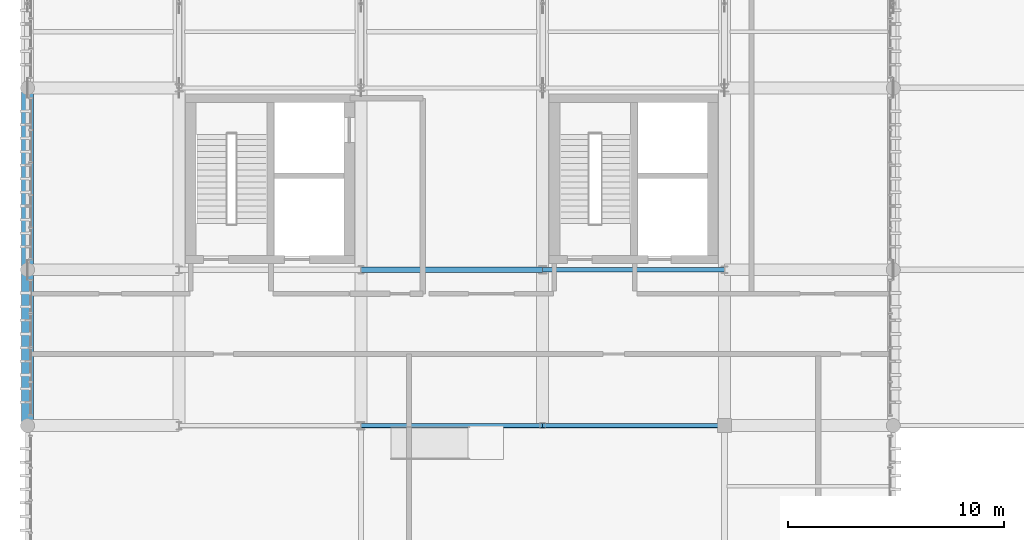
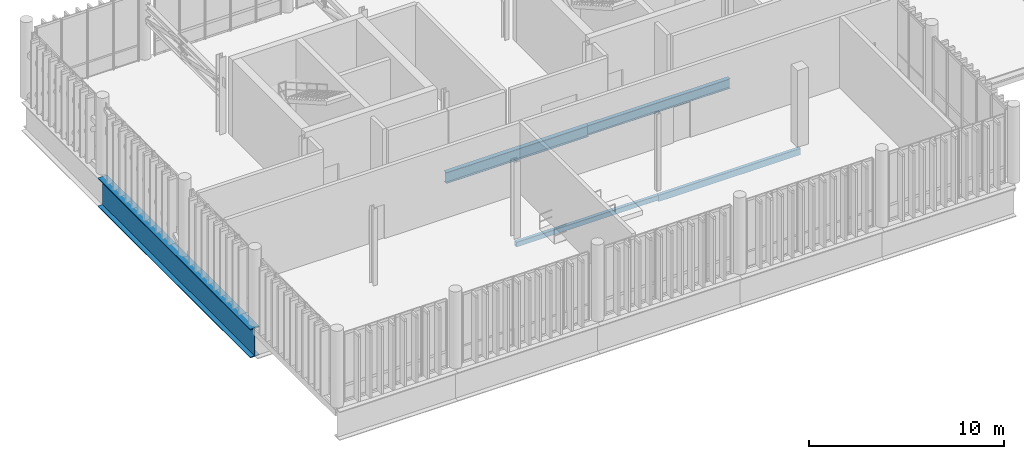
# One storey, part 11 of 81: 5 beams.
"""IFC4 building model written with IfcOpenShell, lengths in metres."""

from ifc_helpers import new_model, si_unit, direction, frame, origin_with_axes, origin_2d_with_axis, place, context, subcontext, project, spatial, hollow_rectangle, i_section, extrude, material, material_profile, profile_set, type_object, element, save


model = new_model("IFC4")

# Units and contexts
model_context = context("Model", 3, precision=1e-05, world=origin_with_axes(), true_north=direction((0.0, 1.0)))
body_context = subcontext(model_context, "Body", "Model", "MODEL_VIEW")
ifc_project = project(units=[si_unit("LENGTHUNIT", "METRE"), si_unit("AREAUNIT", "SQUARE_METRE"), si_unit("VOLUMEUNIT", "CUBIC_METRE"), si_unit("PLANEANGLEUNIT", "RADIAN"), si_unit("MASSUNIT", "GRAM", prefix="KILO"), si_unit("THERMODYNAMICTEMPERATUREUNIT", "KELVIN")], contexts=[model_context])

# Site, building, storey
site_placement = place(None, origin_with_axes())
site = spatial("IfcSite", under=ifc_project, at=site_placement, CompositionType="ELEMENT")
building_placement = place(site_placement, origin_with_axes())
building = spatial("IfcBuilding", under=site, at=building_placement, Name="Montbau Bow Law Courts", CompositionType="ELEMENT")
storey_placement = place(building_placement, frame((0.0, 0.0, 24.9), z_axis=(0.0, 0.0, 1.0), x_axis=(1.0, 0.0, 0.0)))
storey = spatial("IfcBuildingStorey", under=building, at=storey_placement, Name="L05", CompositionType="ELEMENT", Elevation=24.9)

# Beams
ifc_material_1 = material(Name="Steel CSA G40.21 Grade 350W (350 MPa)", Category="steel")
ifc_material_profile_1 = material_profile(ifc_material_1, i_section(OverallWidth=0.254, OverallDepth=0.688, WebThickness=0.0131, FlangeThickness=0.0211, at=origin_2d_with_axis()), Name="W690X152", Category="Main", Priority=0)
ifc_profile_set_1 = profile_set([ifc_material_profile_1], Name="Steel CSA G40.21 Grade 350W (350 MPa)")
beam_type_1 = type_object("IfcBeamType", Name="B-FLR-04", PredefinedType="BEAM", material=ifc_profile_set_1)
beam_1_placement = place(None, frame((22.2, 46.2, 24.256), z_axis=(1.0, 0.0, 0.0), x_axis=(0.0, 1.0, 0.0)))
element("IfcBeam", 1, at=beam_1_placement, inside=storey, type_object=beam_type_1, Name="BM-L05-S0657:bm2_0660", PredefinedType="BEAM", context=body_context, shape_type="SweptSolid", body=[
    extrude(i_section(OverallWidth=0.254, OverallDepth=0.688, WebThickness=0.0131, FlangeThickness=0.0211, at=origin_2d_with_axis()), origin_with_axes(), (0.0, 0.0, 1.0), 8.4),
])
ifc_material_profile_2 = material_profile(ifc_material_1, i_section(OverallWidth=0.229, OverallDepth=0.612, WebThickness=0.0119, FlangeThickness=0.0196, at=origin_2d_with_axis()), Name="W610X125", Category="Main", Priority=0)
ifc_profile_set_2 = profile_set([ifc_material_profile_2], Name="Steel CSA G40.21 Grade 350W (350 MPa)")
beam_type_2 = type_object("IfcBeamType", Name="B-FLR-05", PredefinedType="BEAM", material=ifc_profile_set_2)
beam_2_placement = place(None, frame((30.6, 46.2, 24.294), z_axis=(1.0, 0.0, 0.0), x_axis=(0.0, 1.0, 0.0)))
element("IfcBeam", 2, at=beam_2_placement, inside=storey, type_object=beam_type_2, Name="BM-L05-S0658:bm2_0661", PredefinedType="BEAM", context=body_context, shape_type="SweptSolid", body=[
    extrude(i_section(OverallWidth=0.229, OverallDepth=0.612, WebThickness=0.0119, FlangeThickness=0.0196, at=origin_2d_with_axis()), origin_with_axes(), (0.0, 0.0, 1.0), 8.4),
])
ifc_material_2 = material(Name="Steel CSA G40.21 Grade 350WT (350 MPa)", Category="steel")
ifc_material_profile_3 = material_profile(ifc_material_2, hollow_rectangle(XDim=0.203, YDim=0.406, WallThickness=0.0127, InnerFilletRadius=0.0254, OuterFilletRadius=0.0127, at=origin_2d_with_axis()), Name="HSS406X203X13", Category="Main", Priority=0)
ifc_profile_set_3 = profile_set([ifc_material_profile_3], Name="Steel CSA G40.21 Grade 350WT (350 MPa)")
beam_type_3 = type_object("IfcBeamType", Name="B-SPN-01", PredefinedType="SPANDREL", material=ifc_profile_set_3)
beam_3_placement = place(None, frame((30.6, 39.0, 24.397), z_axis=(1.0, 0.0, 0.0), x_axis=(0.0, 1.0, 0.0)))
element("IfcBeam", 3, at=beam_3_placement, inside=storey, type_object=beam_type_3, Name="SPN-L05-S0655:bm2_0658", PredefinedType="SPANDREL", context=body_context, shape_type="SweptSolid", body=[
    extrude(hollow_rectangle(XDim=0.203, YDim=0.406, WallThickness=0.0127, InnerFilletRadius=0.0254, OuterFilletRadius=0.0127, at=origin_2d_with_axis()), origin_with_axes(), (0.0, 0.0, 1.0), 8.4),
])
ifc_material_profile_4 = material_profile(ifc_material_2, hollow_rectangle(XDim=0.203, YDim=0.305, WallThickness=0.0127, InnerFilletRadius=0.0254, OuterFilletRadius=0.0127, at=origin_2d_with_axis()), Name="HSS305X203X13", Category="Main", Priority=0)
ifc_profile_set_4 = profile_set([ifc_material_profile_4], Name="Steel CSA G40.21 Grade 350WT (350 MPa)")
beam_type_4 = type_object("IfcBeamType", Name="B-SPN-02", PredefinedType="SPANDREL", material=ifc_profile_set_4)
beam_4_placement = place(None, frame((22.2, 39.0, 24.448), z_axis=(1.0, 0.0, 0.0), x_axis=(0.0, 1.0, 0.0)))
element("IfcBeam", 4, at=beam_4_placement, inside=storey, type_object=beam_type_4, Name="SPN-L05-S0654:bm2_0657", PredefinedType="SPANDREL", context=body_context, shape_type="SweptSolid", body=[
    extrude(hollow_rectangle(XDim=0.203, YDim=0.305, WallThickness=0.0127, InnerFilletRadius=0.0254, OuterFilletRadius=0.0127, at=origin_2d_with_axis()), origin_with_axes(), (0.0, 0.0, 1.0), 8.4),
])
ifc_material_profile_5 = material_profile(ifc_material_2, i_section(OverallWidth=0.55, OverallDepth=1.8, WebThickness=0.022, FlangeThickness=0.05, at=origin_2d_with_axis()), Name="WWF1800X550", Category="Main", Priority=0)
ifc_profile_set_5 = profile_set([ifc_material_profile_5], Name="Steel CSA G40.21 Grade 350WT (350 MPa)")
beam_type_5 = type_object("IfcBeamType", Name="B-TRG-01", PredefinedType="USERDEFINED", material=ifc_profile_set_5)
beam_5_placement = place(None, frame((6.8, 39.0, 23.7), z_axis=(0.0, 1.0, 0.0), x_axis=(-1.0, 0.0, 0.0)))
element("IfcBeam", 5, at=beam_5_placement, inside=storey, type_object=beam_type_5, Name="TRG-L05-S0031:bm2_0034", ObjectType="GIRDER", PredefinedType="USERDEFINED", context=body_context, shape_type="SweptSolid", body=[
    extrude(i_section(OverallWidth=0.55, OverallDepth=1.8, WebThickness=0.022, FlangeThickness=0.05, at=origin_2d_with_axis()), origin_with_axes(), (0.0, 0.0, 1.0), 15.6),
])

save(model, "model.ifc")
